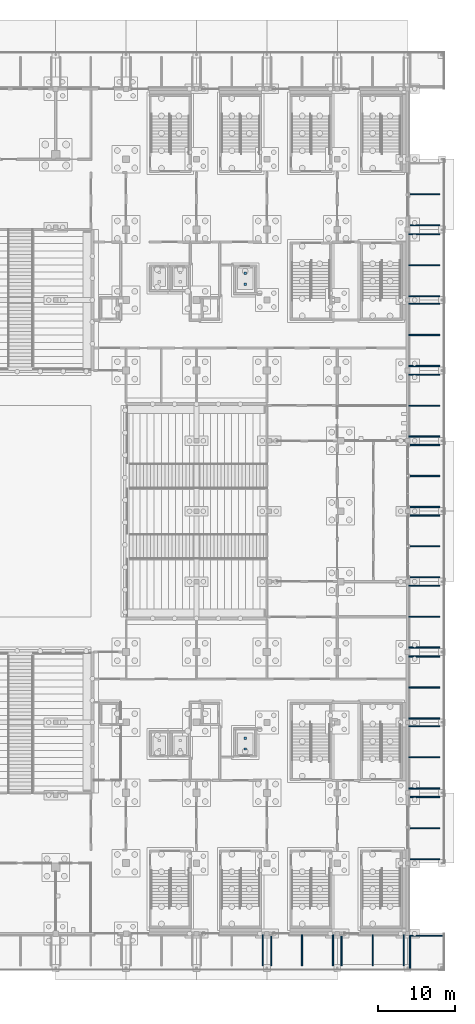
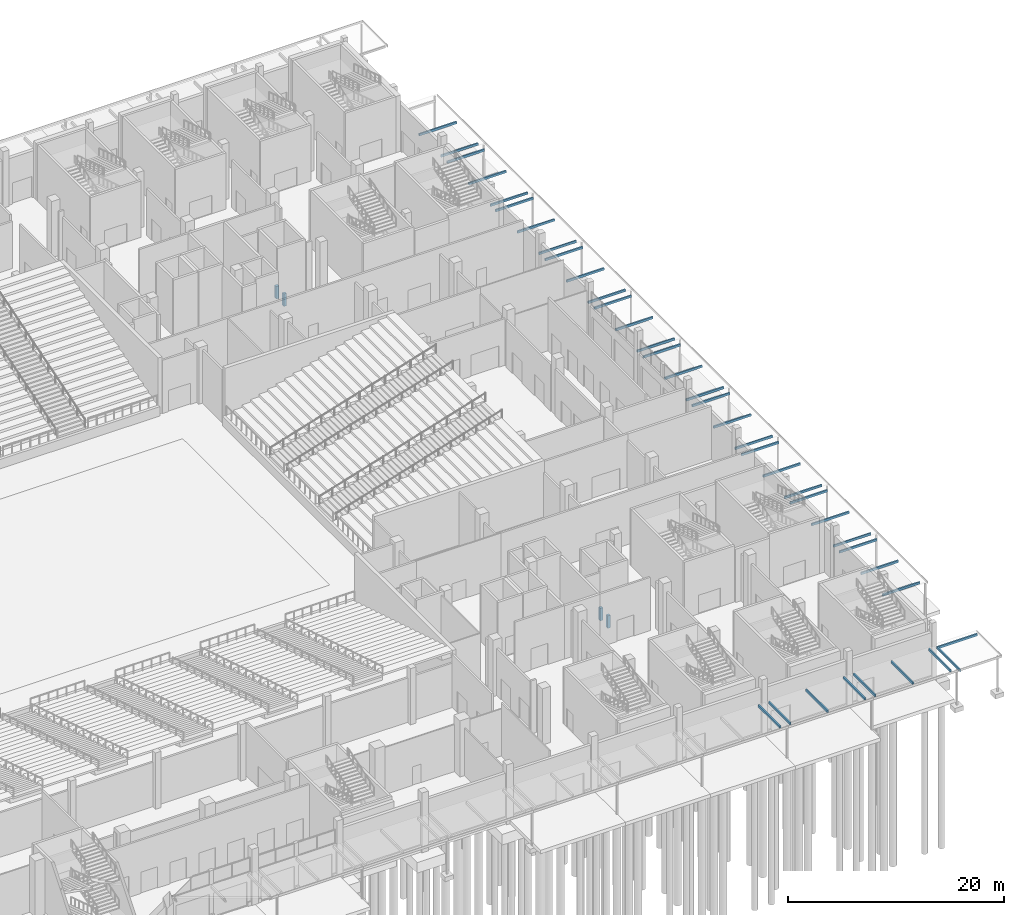
# One storey, part 99 of 129: 42 discrete accessories.
"""IFC4 building model written with IfcOpenShell, lengths in metres."""

from ifc_helpers import new_model, si_unit, direction, frame, origin, origin_2d, place, context, subcontext, project, spatial, rectangle, extrude, material, type_object, element, save


model = new_model("IFC4")

# Units and contexts
model_context = context("Model", 3, precision=1e-05, world=origin(), true_north=direction((0.0, 1.0)))
body_context = subcontext(model_context, "Body", "Model", "MODEL_VIEW")
ifc_project = project(units=[si_unit("LENGTHUNIT", "METRE"), si_unit("AREAUNIT", "SQUARE_METRE"), si_unit("VOLUMEUNIT", "CUBIC_METRE"), si_unit("PLANEANGLEUNIT", "RADIAN"), si_unit("MASSUNIT", "GRAM", prefix="KILO")], contexts=[model_context])

# Site, building, storey
site_placement = place(None, origin())
site = spatial("IfcSite", under=ifc_project, at=site_placement, CompositionType="ELEMENT")
building_placement = place(site_placement, origin())
building = spatial("IfcBuilding", under=site, at=building_placement, Name="Shirokan Park Arena", CompositionType="ELEMENT")
storey_placement = place(building_placement, origin())
storey = spatial("IfcBuildingStorey", under=building, at=storey_placement, Name="L00", CompositionType="ELEMENT", Elevation=0.0)

# Discrete accessories
ifc_material = material(Name="Steel S355", Category="steel")
discrete_accessory_type = type_object("IfcDiscreteAccessoryType", Name="Canopy bracket 150x250", PredefinedType="BRACKET", material=ifc_material)
for number, where, z_axis, x_axis, name in (
    (1, (147.75, 9.625, 3.35009765625), (0.0, 0.0, 1.0), (0.0, 1.0, 0.0), "Canopy bracket east bay 2 1"),
    (2, (147.75, 13.637451171875, 3.35009765625), (0.0, 0.0, 1.0), (0.0, 1.0, 0.0), "Canopy bracket east bay 2 2"),
    (3, (147.75, 17.64990234375, 3.35009765625), (0.0, 0.0, 1.0), (0.0, 1.0, 0.0), "Canopy bracket east bay 2 3"),
    (4, (147.75, 18.75, 3.35009765625), (0.0, 0.0, 1.0), (0.0, 1.0, 0.0), "Canopy bracket east bay 3 1"),
    (5, (147.75, 22.77490234375, 3.35009765625), (0.0, 0.0, 1.0), (0.0, 1.0, 0.0), "Canopy bracket east bay 3 2"),
    (6, (147.75, 26.800048828125, 3.35009765625), (0.0, 0.0, 1.0), (0.0, 1.0, 0.0), "Canopy bracket east bay 3 3"),
    (7, (147.75, 27.800048828125, 3.35009765625), (0.0, 0.0, 1.0), (0.0, 1.0, 0.0), "Canopy bracket east bay 4 1"),
    (8, (147.75, 31.8125, 3.35009765625), (0.0, 0.0, 1.0), (0.0, 1.0, 0.0), "Canopy bracket east bay 4 2"),
    (9, (147.75, 35.824951171875, 3.35009765625), (0.0, 0.0, 1.0), (0.0, 1.0, 0.0), "Canopy bracket east bay 4 3"),
    (10, (147.75, 36.97509765625, 3.35009765625), (0.0, 0.0, 1.0), (0.0, 1.0, 0.0), "Canopy bracket east bay 5 1"),
    (11, (147.75, 40.96240234375, 3.35009765625), (0.0, 0.0, 1.0), (0.0, 1.0, 0.0), "Canopy bracket east bay 5 2"),
    (12, (147.75, 44.949951171875, 3.35009765625), (0.0, 0.0, 1.0), (0.0, 1.0, 0.0), "Canopy bracket east bay 5 3"),
    (13, (147.75, 46.050048828125, 3.35009765625), (0.0, 0.0, 1.0), (0.0, 1.0, 0.0), "Canopy bracket east bay 6 1"),
    (14, (147.75, 50.050048828125, 3.35009765625), (0.0, 0.0, 1.0), (0.0, 1.0, 0.0), "Canopy bracket east bay 6 2"),
    (15, (147.75, 54.050048828125, 3.35009765625), (0.0, 0.0, 1.0), (0.0, 1.0, 0.0), "Canopy bracket east bay 6 3"),
    (16, (147.75, 55.14990234375, 3.35009765625), (0.0, 0.0, 1.0), (0.0, 1.0, 0.0), "Canopy bracket east bay 7 1"),
    (17, (147.75, 59.14990234375, 3.35009765625), (0.0, 0.0, 1.0), (0.0, 1.0, 0.0), "Canopy bracket east bay 7 2"),
    (18, (147.75, 63.14990234375, 3.35009765625), (0.0, 0.0, 1.0), (0.0, 1.0, 0.0), "Canopy bracket east bay 7 3"),
    (19, (147.75, 64.25, 3.35009765625), (0.0, 0.0, 1.0), (0.0, 1.0, 0.0), "Canopy bracket east bay 8 1"),
    (20, (147.75, 68.237548828125, 3.35009765625), (0.0, 0.0, 1.0), (0.0, 1.0, 0.0), "Canopy bracket east bay 8 2"),
    (21, (147.75, 72.22509765625, 3.35009765625), (0.0, 0.0, 1.0), (0.0, 1.0, 0.0), "Canopy bracket east bay 8 3"),
    (22, (147.75, 73.375, 3.35009765625), (0.0, 0.0, 1.0), (0.0, 1.0, 0.0), "Canopy bracket east bay 9 1"),
    (23, (147.75, 77.387451171875, 3.35009765625), (0.0, 0.0, 1.0), (0.0, 1.0, 0.0), "Canopy bracket east bay 9 2"),
    (24, (147.75, 81.39990234375, 3.35009765625), (0.0, 0.0, 1.0), (0.0, 1.0, 0.0), "Canopy bracket east bay 9 3"),
    (25, (147.75, 82.39990234375, 3.35009765625), (0.0, 0.0, 1.0), (0.0, 1.0, 0.0), "Canopy bracket east bay 10 1"),
    (26, (147.75, 86.41259765625, 3.35009765625), (0.0, 0.0, 1.0), (0.0, 1.0, 0.0), "Canopy bracket east bay 10 2"),
    (27, (147.75, 90.425048828125, 3.35009765625), (0.0, 0.0, 1.0), (0.0, 1.0, 0.0), "Canopy bracket east bay 10 3"),
    (28, (147.75, 91.574951171875, 3.35009765625), (0.0, 0.0, 1.0), (0.0, 1.0, 0.0), "Canopy bracket east bay 11 1"),
    (29, (147.75, 95.574951171875, 3.35009765625), (0.0, 0.0, 1.0), (0.0, 1.0, 0.0), "Canopy bracket east bay 11 2"),
    (30, (126.85009765625, -2.14990234375, 3.35009765625), (0.0, 0.0, 1.0), (1.0, 0.0, 0.0), "Canopy bracket south bay 14 3"),
    (31, (127.949951171875, -2.14990234375, 3.35009765625), (0.0, 0.0, 1.0), (1.0, 0.0, 0.0), "Canopy bracket south bay 15 1"),
    (32, (131.949951171875, -2.14990234375, 3.35009765625), (0.0, 0.0, 1.0), (1.0, 0.0, 0.0), "Canopy bracket south bay 15 2"),
    (33, (135.949951171875, -2.14990234375, 3.35009765625), (0.0, 0.0, 1.0), (1.0, 0.0, 0.0), "Canopy bracket south bay 15 3"),
    (34, (137.050048828125, -2.14990234375, 3.35009765625), (0.0, 0.0, 1.0), (1.0, 0.0, 0.0), "Canopy bracket south bay 16 1"),
    (35, (141.074951171875, -2.14990234375, 3.35009765625), (0.0, 0.0, 1.0), (1.0, 0.0, 0.0), "Canopy bracket south bay 16 2"),
    (36, (145.10009765625, -2.14990234375, 3.35009765625), (0.0, 0.0, 1.0), (1.0, 0.0, 0.0), "Canopy bracket south bay 16 3"),
):
    element("IfcDiscreteAccessory", number, at=place(storey_placement, frame(where, z_axis=z_axis, x_axis=x_axis)), inside=storey, type_object=discrete_accessory_type, Name=name, PredefinedType="BRACKET", context=body_context, shape_type="SweptSolid", body=[
        extrude(rectangle(XDim=0.14990234375, YDim=4.0, at=origin_2d()), origin(), (0.0, 0.0, 1.0), 0.25),
    ])
discrete_accessory_1_placement = place(storey_placement, frame((148.0, -0.300048828125, 3.35009765625), z_axis=(0.0, 0.0, 1.0), x_axis=(1.0, 0.0, 0.0)))
element("IfcDiscreteAccessory", 37, at=discrete_accessory_1_placement, inside=storey, type_object=discrete_accessory_type, Name="Canopy bracket SE corner 1", PredefinedType="BRACKET", context=body_context, shape_type="SweptSolid", body=[
    extrude(rectangle(XDim=4.300048828125, YDim=0.14990234375, at=origin_2d()), origin(), (0.0, 0.0, 1.0), 0.25),
])
discrete_accessory_2_placement = place(storey_placement, frame((145.89990234375, -2.39990234375, 3.35009765625), z_axis=(0.0, 0.0, 1.0), x_axis=(1.0, 0.0, 0.0)))
element("IfcDiscreteAccessory", 38, at=discrete_accessory_2_placement, inside=storey, type_object=discrete_accessory_type, Name="Canopy bracket SE corner 2", PredefinedType="BRACKET", context=body_context, shape_type="SweptSolid", body=[
    extrude(rectangle(XDim=0.14990234375, YDim=4.300048828125, at=origin_2d()), origin(), (0.0, 0.0, 1.0), 0.25),
])
for number, where, z_axis, x_axis, name in (
    (39, (124.60009765625, 23.85009765625, -1.39990234375), (0.0, 0.0, 1.0), (1.0, 0.0, 0.0), "Lift buffer Service Lift 2 1"),
    (40, (124.60009765625, 25.25, -1.39990234375), (0.0, 0.0, 1.0), (1.0, 0.0, 0.0), "Lift buffer Service Lift 2 2"),
    (41, (124.60009765625, 83.949951171875, -1.39990234375), (0.0, 0.0, 1.0), (1.0, 0.0, 0.0), "Lift buffer Service Lift 3 1"),
    (42, (124.60009765625, 85.35009765625, -1.39990234375), (0.0, 0.0, 1.0), (1.0, 0.0, 0.0), "Lift buffer Service Lift 3 2"),
):
    element("IfcDiscreteAccessory", number, at=place(storey_placement, frame(where, z_axis=z_axis, x_axis=x_axis)), inside=storey, Name=name, ObjectType="LIFT BUFFER", PredefinedType="USERDEFINED", context=body_context, shape_type="SweptSolid", body=[
        extrude(rectangle(XDim=0.300048828125, YDim=0.300048828125, at=origin_2d()), origin(), (0.0, 0.0, 1.0), 1.39990234375),
    ])

save(model, "model.ifc")
